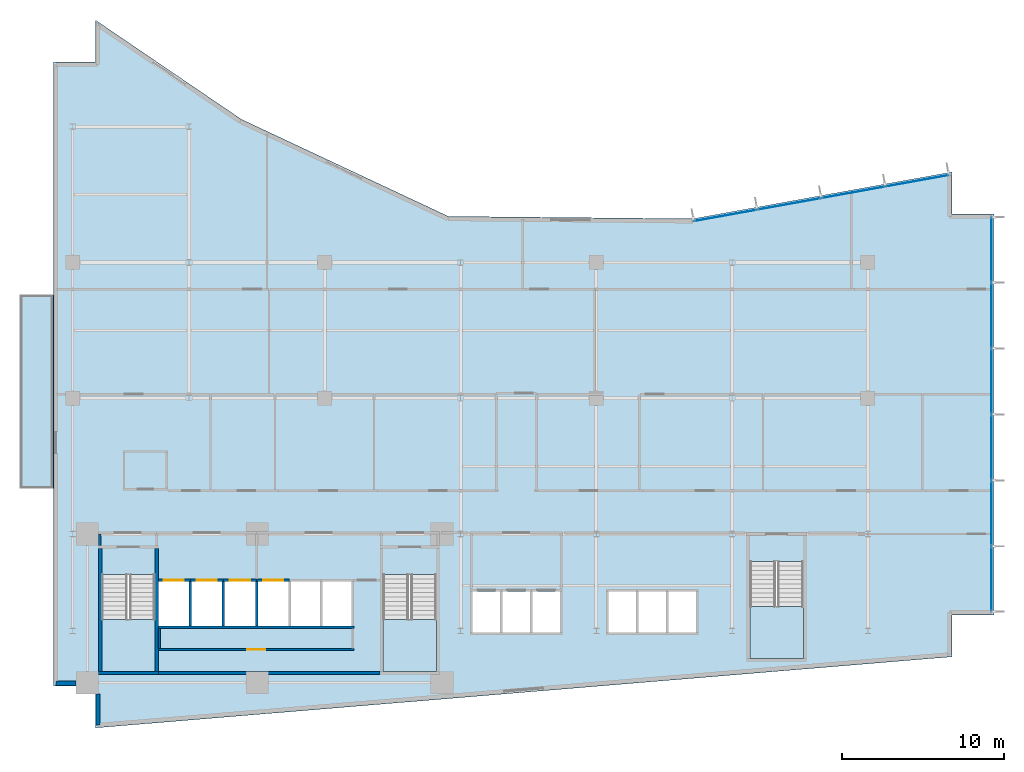
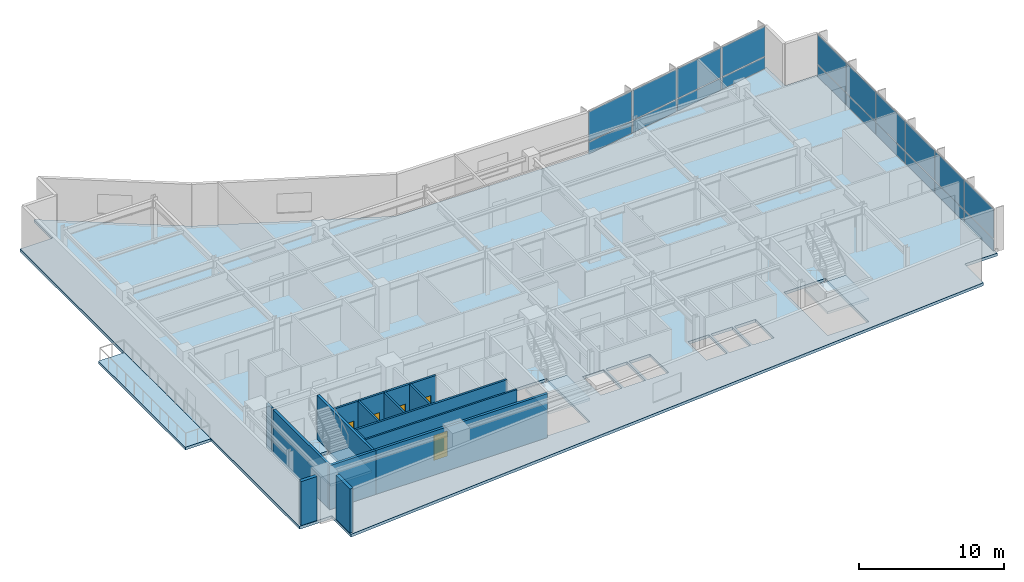
# One storey, part 12 of 20: 20 plates, 17 walls, 5 doors, 5 slabs, 5 openings, 5 elements without a shape of their own.
"""IFC4 building model written with IfcOpenShell, lengths in metres."""

from ifc_helpers import new_model, si_unit, direction, frame, frame_2d, origin, origin_2d, place, context, subcontext, project, spatial, polyline, rectangle, outline, extrude, material, layer, layer_set, type_object, element, fill, aggregate, save


model = new_model("IFC4")

# Units and contexts
model_context = context("Model", 3, precision=1e-05, world=origin(), true_north=direction((0.0, 1.0)))
body_context = subcontext(model_context, "Body", "Model", "MODEL_VIEW")
ifc_project = project(units=[si_unit("LENGTHUNIT", "METRE"), si_unit("AREAUNIT", "SQUARE_METRE"), si_unit("VOLUMEUNIT", "CUBIC_METRE"), si_unit("PLANEANGLEUNIT", "RADIAN"), si_unit("MASSUNIT", "GRAM", prefix="KILO")], contexts=[model_context])

# Site, building, storey
site_placement = place(None, origin())
site = spatial("IfcSite", under=ifc_project, at=site_placement, CompositionType="ELEMENT")
building_placement = place(site_placement, origin())
building = spatial("IfcBuilding", under=site, at=building_placement, Name="Varnakote Quay Hospital", CompositionType="ELEMENT")
storey_placement = place(building_placement, frame((0.0, 0.0, 46.199951171875)))
storey = spatial("IfcBuildingStorey", under=building, at=storey_placement, Name="L11", CompositionType="ELEMENT", Elevation=46.199951171875)

# Curtain wall, plates
ifc_material_1 = material(Name="Anodised aluminium 6063-T6 Bronze", Category="aluminium")
ifc_layer_1 = layer(ifc_material_1, 0.18994140625)
ifc_layer_set_1 = layer_set([ifc_layer_1], Name="Anodised aluminium 6063-T6 Bronze")
curtain_wall_type = type_object("IfcCurtainWallType", Name="CW-SYS-2", PredefinedType="NOTDEFINED", material=ifc_layer_set_1)
curtain_wall_1_placement = place(storey_placement, origin())
curtain_wall_1 = element("IfcCurtainWall", 1, at=curtain_wall_1_placement, inside=storey, type_object=curtain_wall_type, Name="L11 Unitised Bronze Curtain Wall 1", PredefinedType="NOTDEFINED")
ifc_material_2 = material(Name="Double-glazed acoustic laminated glass", Category="glass")
ifc_layer_2 = layer(ifc_material_2, 0.031982421875)
ifc_layer_set_2 = layer_set([ifc_layer_2], Name="Double-glazed acoustic laminated glass")
plate_type = type_object("IfcPlateType", Name="CW-PNL-GLZ-32", PredefinedType="CURTAIN_PANEL", material=ifc_layer_set_2)
plate_1_placement = place(storey_placement, frame((58.0400390625, 9.21875, 0.0751953125), z_axis=(0.0, 0.0, 1.0), x_axis=(0.0, 1.0, 0.0)))
plate_1 = element("IfcPlate", 2, at=plate_1_placement, type_object=plate_type, Name="-2-L11-1 panel 1.1", PredefinedType="CURTAIN_PANEL", context=body_context, shape_type="SweptSolid", body=[
    extrude(rectangle(XDim=3.967529296875, YDim=0.031982421875, at=origin_2d()), origin(), (0.0, 0.0, 1.0), 0.987548828125),
])
plate_2_placement = place(storey_placement, frame((58.0400390625, 9.21875, 1.137451171875), z_axis=(0.0, 0.0, 1.0), x_axis=(0.0, 1.0, 0.0)))
plate_2 = element("IfcPlate", 3, at=plate_2_placement, type_object=plate_type, Name="-2-L11-1 panel 1.2", PredefinedType="CURTAIN_PANEL", context=body_context, shape_type="SweptSolid", body=[
    extrude(rectangle(XDim=3.967529296875, YDim=0.031982421875, at=origin_2d()), origin(), (0.0, 0.0, 1.0), 2.49755859375),
])
plate_3_placement = place(storey_placement, frame((58.0400390625, 13.280029296875, 0.0751953125), z_axis=(0.0, 0.0, 1.0), x_axis=(0.0, 1.0, 0.0)))
plate_3 = element("IfcPlate", 4, at=plate_3_placement, type_object=plate_type, Name="-2-L11-1 panel 2.1", PredefinedType="CURTAIN_PANEL", context=body_context, shape_type="SweptSolid", body=[
    extrude(rectangle(XDim=4.0048828125, YDim=0.031982421875, at=origin_2d()), origin(), (0.0, 0.0, 1.0), 0.987548828125),
])
plate_4_placement = place(storey_placement, frame((58.0400390625, 13.280029296875, 1.137451171875), z_axis=(0.0, 0.0, 1.0), x_axis=(0.0, 1.0, 0.0)))
plate_4 = element("IfcPlate", 5, at=plate_4_placement, type_object=plate_type, Name="-2-L11-1 panel 2.2", PredefinedType="CURTAIN_PANEL", context=body_context, shape_type="SweptSolid", body=[
    extrude(rectangle(XDim=4.0048828125, YDim=0.031982421875, at=origin_2d()), origin(), (0.0, 0.0, 1.0), 2.49755859375),
])
plate_5_placement = place(storey_placement, frame((58.0400390625, 17.360107421875, 0.0751953125), z_axis=(0.0, 0.0, 1.0), x_axis=(0.0, 1.0, 0.0)))
plate_5 = element("IfcPlate", 6, at=plate_5_placement, type_object=plate_type, Name="-2-L11-1 panel 3.1", PredefinedType="CURTAIN_PANEL", context=body_context, shape_type="SweptSolid", body=[
    extrude(rectangle(XDim=4.0048828125, YDim=0.031982421875, at=origin_2d()), origin(), (0.0, 0.0, 1.0), 0.987548828125),
])
plate_6_placement = place(storey_placement, frame((58.0400390625, 17.360107421875, 1.137451171875), z_axis=(0.0, 0.0, 1.0), x_axis=(0.0, 1.0, 0.0)))
plate_6 = element("IfcPlate", 7, at=plate_6_placement, type_object=plate_type, Name="-2-L11-1 panel 3.2", PredefinedType="CURTAIN_PANEL", context=body_context, shape_type="SweptSolid", body=[
    extrude(rectangle(XDim=4.0048828125, YDim=0.031982421875, at=origin_2d()), origin(), (0.0, 0.0, 1.0), 2.49755859375),
])
plate_7_placement = place(storey_placement, frame((58.0400390625, 21.43994140625, 0.0751953125), z_axis=(0.0, 0.0, 1.0), x_axis=(0.0, 1.0, 0.0)))
plate_7 = element("IfcPlate", 8, at=plate_7_placement, type_object=plate_type, Name="-2-L11-1 panel 4.1", PredefinedType="CURTAIN_PANEL", context=body_context, shape_type="SweptSolid", body=[
    extrude(rectangle(XDim=4.0048828125, YDim=0.031982421875, at=origin_2d()), origin(), (0.0, 0.0, 1.0), 0.987548828125),
])
plate_8_placement = place(storey_placement, frame((58.0400390625, 21.43994140625, 1.137451171875), z_axis=(0.0, 0.0, 1.0), x_axis=(0.0, 1.0, 0.0)))
plate_8 = element("IfcPlate", 9, at=plate_8_placement, type_object=plate_type, Name="-2-L11-1 panel 4.2", PredefinedType="CURTAIN_PANEL", context=body_context, shape_type="SweptSolid", body=[
    extrude(rectangle(XDim=4.0048828125, YDim=0.031982421875, at=origin_2d()), origin(), (0.0, 0.0, 1.0), 2.49755859375),
])
plate_9_placement = place(storey_placement, frame((58.0400390625, 25.52001953125, 0.0751953125), z_axis=(0.0, 0.0, 1.0), x_axis=(0.0, 1.0, 0.0)))
plate_9 = element("IfcPlate", 10, at=plate_9_placement, type_object=plate_type, Name="-2-L11-1 panel 5.1", PredefinedType="CURTAIN_PANEL", context=body_context, shape_type="SweptSolid", body=[
    extrude(rectangle(XDim=4.0048828125, YDim=0.031982421875, at=origin_2d()), origin(), (0.0, 0.0, 1.0), 0.987548828125),
])
plate_10_placement = place(storey_placement, frame((58.0400390625, 25.52001953125, 1.137451171875), z_axis=(0.0, 0.0, 1.0), x_axis=(0.0, 1.0, 0.0)))
plate_10 = element("IfcPlate", 11, at=plate_10_placement, type_object=plate_type, Name="-2-L11-1 panel 5.2", PredefinedType="CURTAIN_PANEL", context=body_context, shape_type="SweptSolid", body=[
    extrude(rectangle(XDim=4.0048828125, YDim=0.031982421875, at=origin_2d()), origin(), (0.0, 0.0, 1.0), 2.49755859375),
])
plate_11_placement = place(storey_placement, frame((58.0400390625, 29.581298828125, 0.0751953125), z_axis=(0.0, 0.0, 1.0), x_axis=(0.0, 1.0, 0.0)))
plate_11 = element("IfcPlate", 12, at=plate_11_placement, type_object=plate_type, Name="-2-L11-1 panel 6.1", PredefinedType="CURTAIN_PANEL", context=body_context, shape_type="SweptSolid", body=[
    extrude(rectangle(XDim=3.967529296875, YDim=0.031982421875, at=origin_2d()), origin(), (0.0, 0.0, 1.0), 0.987548828125),
])
plate_12_placement = place(storey_placement, frame((58.0400390625, 29.581298828125, 1.137451171875), z_axis=(0.0, 0.0, 1.0), x_axis=(0.0, 1.0, 0.0)))
plate_12 = element("IfcPlate", 13, at=plate_12_placement, type_object=plate_type, Name="-2-L11-1 panel 6.2", PredefinedType="CURTAIN_PANEL", context=body_context, shape_type="SweptSolid", body=[
    extrude(rectangle(XDim=3.967529296875, YDim=0.031982421875, at=origin_2d()), origin(), (0.0, 0.0, 1.0), 2.49755859375),
])
aggregate(curtain_wall_1, [plate_1, plate_2, plate_3, plate_4, plate_5, plate_6, plate_7, plate_8, plate_9, plate_10, plate_11, plate_12])

curtain_wall_2_placement = place(storey_placement, origin())
curtain_wall_2 = element("IfcCurtainWall", 14, at=curtain_wall_2_placement, inside=storey, type_object=curtain_wall_type, Name="L11 Unitised Bronze Curtain Wall 2", PredefinedType="NOTDEFINED")
plate_13_placement = place(storey_placement, frame((53.440185546875, 33.84716796875, 0.0751953125), z_axis=(0.0, 0.0, 1.0), x_axis=(-0.984058295766, -0.177846199098, 0.0)))
plate_13 = element("IfcPlate", 15, at=plate_13_placement, type_object=plate_type, Name="-2-L11-2 panel 1.1", PredefinedType="CURTAIN_PANEL", context=body_context, shape_type="SweptSolid", body=[
    extrude(rectangle(XDim=3.914306640625, YDim=0.031982421875, at=origin_2d()), origin(), (0.0, 0.0, 1.0), 0.987548828125),
])
plate_14_placement = place(storey_placement, frame((53.440185546875, 33.84716796875, 1.137451171875), z_axis=(0.0, 0.0, 1.0), x_axis=(-0.984058295766, -0.177846199098, 0.0)))
plate_14 = element("IfcPlate", 16, at=plate_14_placement, type_object=plate_type, Name="-2-L11-2 panel 1.2", PredefinedType="CURTAIN_PANEL", context=body_context, shape_type="SweptSolid", body=[
    extrude(rectangle(XDim=3.914306640625, YDim=0.031982421875, at=origin_2d()), origin(), (0.0, 0.0, 1.0), 2.49755859375),
])
plate_15_placement = place(storey_placement, frame((49.49609375, 33.13427734375, 0.0751953125), z_axis=(0.0, 0.0, 1.0), x_axis=(-0.984058295766, -0.177846199098, 0.0)))
plate_15 = element("IfcPlate", 17, at=plate_15_placement, type_object=plate_type, Name="-2-L11-2 panel 2.1", PredefinedType="CURTAIN_PANEL", context=body_context, shape_type="SweptSolid", body=[
    extrude(rectangle(XDim=3.951904296875, YDim=0.031982421875, at=origin_2d()), origin(), (0.0, 0.0, 1.0), 0.987548828125),
])
plate_16_placement = place(storey_placement, frame((49.49609375, 33.13427734375, 1.137451171875), z_axis=(0.0, 0.0, 1.0), x_axis=(-0.984058295766, -0.177846199098, 0.0)))
plate_16 = element("IfcPlate", 18, at=plate_16_placement, type_object=plate_type, Name="-2-L11-2 panel 2.2", PredefinedType="CURTAIN_PANEL", context=body_context, shape_type="SweptSolid", body=[
    extrude(rectangle(XDim=3.951904296875, YDim=0.031982421875, at=origin_2d()), origin(), (0.0, 0.0, 1.0), 2.49755859375),
])
plate_17_placement = place(storey_placement, frame((45.533447265625, 32.418212890625, 0.0751953125), z_axis=(0.0, 0.0, 1.0), x_axis=(-0.984058295766, -0.177846199098, 0.0)))
plate_17 = element("IfcPlate", 19, at=plate_17_placement, type_object=plate_type, Name="-2-L11-2 panel 3.1", PredefinedType="CURTAIN_PANEL", context=body_context, shape_type="SweptSolid", body=[
    extrude(rectangle(XDim=3.951904296875, YDim=0.031982421875, at=origin_2d()), origin(), (0.0, 0.0, 1.0), 0.987548828125),
])
plate_18_placement = place(storey_placement, frame((45.533447265625, 32.418212890625, 1.137451171875), z_axis=(0.0, 0.0, 1.0), x_axis=(-0.984058295766, -0.177846199098, 0.0)))
plate_18 = element("IfcPlate", 20, at=plate_18_placement, type_object=plate_type, Name="-2-L11-2 panel 3.2", PredefinedType="CURTAIN_PANEL", context=body_context, shape_type="SweptSolid", body=[
    extrude(rectangle(XDim=3.951904296875, YDim=0.031982421875, at=origin_2d()), origin(), (0.0, 0.0, 1.0), 2.49755859375),
])
plate_19_placement = place(storey_placement, frame((41.58935546875, 31.705322265625, 0.0751953125), z_axis=(0.0, 0.0, 1.0), x_axis=(-0.984058295766, -0.177846199098, 0.0)))
plate_19 = element("IfcPlate", 21, at=plate_19_placement, type_object=plate_type, Name="-2-L11-2 panel 4.1", PredefinedType="CURTAIN_PANEL", context=body_context, shape_type="SweptSolid", body=[
    extrude(rectangle(XDim=3.914306640625, YDim=0.031982421875, at=origin_2d()), origin(), (0.0, 0.0, 1.0), 0.987548828125),
])
plate_20_placement = place(storey_placement, frame((41.58935546875, 31.705322265625, 1.137451171875), z_axis=(0.0, 0.0, 1.0), x_axis=(-0.984058295766, -0.177846199098, 0.0)))
plate_20 = element("IfcPlate", 22, at=plate_20_placement, type_object=plate_type, Name="-2-L11-2 panel 4.2", PredefinedType="CURTAIN_PANEL", context=body_context, shape_type="SweptSolid", body=[
    extrude(rectangle(XDim=3.914306640625, YDim=0.031982421875, at=origin_2d()), origin(), (0.0, 0.0, 1.0), 2.49755859375),
])
aggregate(curtain_wall_2, [plate_13, plate_14, plate_15, plate_16, plate_17, plate_18, plate_19, plate_20])

# Stair, slab
ifc_material_3 = material(Name="Concrete N40 (f'c 40 MPa)", Category="concrete")
stair_type = type_object("IfcStairType", Name="STR-CORE-1580", PredefinedType="HALF_TURN_STAIR", material=ifc_material_3)
stair_1_placement = place(storey_placement, origin())
stair_1 = element("IfcStair", 23, at=stair_1_placement, inside=storey, type_object=stair_type, Name="L11 Fire-Isolated Exit Stair ST-01", PredefinedType="HALF_TURN_STAIR")
ifc_material_4 = material(Name="Concrete N40 (f'c 40 MPa)", Category="concrete")
ifc_layer_3 = layer(ifc_material_4, 0.199951171875)
ifc_layer_set_3 = layer_set([ifc_layer_3], Name="Concrete N40 (f'c 40 MPa)")
slab_type_1 = type_object("IfcSlabType", Name="SLB-STAIR-LND-200", PredefinedType="LANDING", material=ifc_layer_set_3)
slab_1_placement = place(storey_placement, frame((0.0, 0.0, 1.775146484375)))
slab_1 = element("IfcSlab", 24, at=slab_1_placement, type_object=slab_type_1, Name="ST-01 landing 1", PredefinedType="LANDING", context=body_context, shape_type="SweptSolid", body=[
    extrude(outline(polyline([(3.0, 6.699951171875), (3.0, 3.5), (6.300048828125, 3.5), (6.300048828125, 6.699951171875), (3.0, 6.699951171875)])), origin(), (0.0, 0.0, 1.0), 0.199951171875),
])
aggregate(stair_1, [slab_1])

stair_2_placement = place(storey_placement, origin())
stair_2 = element("IfcStair", 25, at=stair_2_placement, inside=storey, type_object=stair_type, Name="L11 Fire-Isolated Exit Stair ST-02", PredefinedType="HALF_TURN_STAIR")
slab_2_placement = place(storey_placement, frame((0.0, 0.0, 1.775146484375)))
slab_2 = element("IfcSlab", 26, at=slab_2_placement, type_object=slab_type_1, Name="ST-02 landing 1", PredefinedType="LANDING", context=body_context, shape_type="SweptSolid", body=[
    extrude(outline(polyline([(20.39990234375, 6.699951171875), (20.39990234375, 3.5), (23.699951171875, 3.5), (23.699951171875, 6.699951171875), (20.39990234375, 6.699951171875)])), origin(), (0.0, 0.0, 1.0), 0.199951171875),
])
aggregate(stair_2, [slab_2])

stair_3_placement = place(storey_placement, origin())
stair_3 = element("IfcStair", 27, at=stair_3_placement, inside=storey, type_object=stair_type, Name="L11 Fire-Isolated Exit Stair ST-03", PredefinedType="HALF_TURN_STAIR")
slab_3_placement = place(storey_placement, frame((0.0, 0.0, 1.775146484375)))
slab_3 = element("IfcSlab", 28, at=slab_3_placement, type_object=slab_type_1, Name="ST-03 landing 1", PredefinedType="LANDING", context=body_context, shape_type="SweptSolid", body=[
    extrude(outline(polyline([(43.10009765625, 7.5), (43.10009765625, 4.300048828125), (46.39990234375, 4.300048828125), (46.39990234375, 7.5), (43.10009765625, 7.5)])), origin(), (0.0, 0.0, 1.0), 0.199951171875),
])
aggregate(stair_3, [slab_3])

# Slabs
ifc_material_5 = material(Name="Concrete N50 (f'c 50 MPa)", Category="concrete")
ifc_layer_4 = layer(ifc_material_5, 0.239990234375)
ifc_layer_set_4 = layer_set([ifc_layer_4], Name="Concrete N50 (f'c 50 MPa)")
slab_type_2 = type_object("IfcSlabType", Name="SLB-TERR-200", PredefinedType="FLOOR", material=ifc_layer_set_4)
slab_4_placement = place(storey_placement, frame((0.0, 0.0, -0.239990234375)))
element("IfcSlab", 29, at=slab_4_placement, inside=storey, type_object=slab_type_2, Name="L11 Waterfront Healing Terrace Slab", PredefinedType="FLOOR", context=body_context, shape_type="SweptSolid", body=[
    extrude(outline(polyline([(0.00390625, 14.800048828125), (0.00390625, 26.800048828125), (-2.06005859375, 26.800048828125), (-2.06005859375, 14.800048828125), (0.00390625, 14.800048828125)])), origin(), (0.0, 0.0, 1.0), 0.239990234375),
])
ifc_material_6 = material(Name="Concrete N50 (f'c 50 MPa)", Category="concrete")
ifc_layer_5 = layer(ifc_material_6, 0.239990234375)
ifc_layer_set_5 = layer_set([ifc_layer_5], Name="Concrete N50 (f'c 50 MPa)")
slab_type_3 = type_object("IfcSlabType", Name="SLB-WARD-200", PredefinedType="FLOOR", material=ifc_layer_set_5)
slab_5_placement = place(storey_placement, frame((0.0, 0.0, -0.239990234375)))
element("IfcSlab", 30, at=slab_5_placement, inside=storey, type_object=slab_type_3, Name="L11 Primary Floor Slab", PredefinedType="FLOOR", context=body_context, shape_type="SweptSolid", body=[
    extrude(outline(polyline([(0.0, 2.60009765625), (2.60009765625, 2.60009765625), (2.60009765625, 0.0), (55.60009765625, 4.39990234375), (55.60009765625, 7.0), (58.199951171875, 7.0), (58.199951171875, 31.800048828125), (55.60009765625, 31.800048828125), (55.60009765625, 34.39990234375), (39.575927734375, 31.50390625), (24.444091796875, 31.652099609375), (11.639892578125, 37.656005859375), (2.60009765625, 43.800048828125), (2.60009765625, 41.199951171875), (0.0, 41.199951171875), (0.0, 2.60009765625)]), holes=[polyline([(3.0, 3.5), (6.300048828125, 3.5), (6.300048828125, 9.49951171875), (3.0, 9.49951171875), (3.0, 3.5)]), polyline([(20.39990234375, 3.5), (23.699951171875, 3.5), (23.699951171875, 9.49951171875), (20.39990234375, 9.49951171875), (20.39990234375, 3.5)]), polyline([(43.10009765625, 4.300048828125), (46.39990234375, 4.300048828125), (46.39990234375, 10.29931640625), (43.10009765625, 10.29931640625), (43.10009765625, 4.300048828125)]), polyline([(6.5, 6.300048828125), (8.39990234375, 6.300048828125), (8.39990234375, 9.050048828125), (6.5, 9.050048828125), (6.5, 6.300048828125)]), polyline([(8.550048828125, 6.300048828125), (10.449951171875, 6.300048828125), (10.449951171875, 9.050048828125), (8.550048828125, 9.050048828125), (8.550048828125, 6.300048828125)]), polyline([(10.60009765625, 6.300048828125), (12.5, 6.300048828125), (12.5, 9.050048828125), (10.60009765625, 9.050048828125), (10.60009765625, 6.300048828125)]), polyline([(12.64990234375, 6.300048828125), (14.550048828125, 6.300048828125), (14.550048828125, 9.050048828125), (12.64990234375, 9.050048828125), (12.64990234375, 6.300048828125)]), polyline([(14.699951171875, 6.300048828125), (16.5, 6.300048828125), (16.5, 9.050048828125), (14.699951171875, 9.050048828125), (14.699951171875, 6.300048828125)]), polyline([(16.64990234375, 6.300048828125), (18.449951171875, 6.300048828125), (18.449951171875, 9.050048828125), (16.64990234375, 9.050048828125), (16.64990234375, 6.300048828125)]), polyline([(25.949951171875, 5.89990234375), (27.64990234375, 5.89990234375), (27.64990234375, 8.449951171875), (25.949951171875, 8.449951171875), (25.949951171875, 5.89990234375)]), polyline([(27.800048828125, 5.89990234375), (29.5, 5.89990234375), (29.5, 8.449951171875), (27.800048828125, 8.449951171875), (27.800048828125, 5.89990234375)]), polyline([(29.64990234375, 5.89990234375), (31.35009765625, 5.89990234375), (31.35009765625, 8.449951171875), (29.64990234375, 8.449951171875), (29.64990234375, 5.89990234375)]), polyline([(34.35009765625, 5.89990234375), (36.050048828125, 5.89990234375), (36.050048828125, 8.449951171875), (34.35009765625, 8.449951171875), (34.35009765625, 5.89990234375)]), polyline([(36.199951171875, 5.89990234375), (37.89990234375, 5.89990234375), (37.89990234375, 8.449951171875), (36.199951171875, 8.449951171875), (36.199951171875, 5.89990234375)]), polyline([(38.050048828125, 5.89990234375), (39.75, 5.89990234375), (39.75, 8.449951171875), (38.050048828125, 8.449951171875), (38.050048828125, 5.89990234375)])]), origin(), (0.0, 0.0, 1.0), 0.239990234375),
])

# Walls
ifc_material_7 = material(Name="Fire-rated acoustic gypsum stud wall", Category="gypsum")
ifc_layer_6 = layer(ifc_material_7, 0.159912109375)
ifc_layer_set_6 = layer_set([ifc_layer_6], Name="Fire-rated acoustic gypsum stud wall")
wall_type_1 = type_object("IfcWallType", Name="WL-COMP-160", PredefinedType="PARTITIONING", material=ifc_layer_set_6)
wall_1_placement = place(storey_placement, frame((2.8798828125, 11.300048828125, 0.0), z_axis=(0.0, 0.0, 1.0), x_axis=(0.0, 1.0, 0.0)))
element("IfcWall", 31, at=wall_1_placement, inside=storey, type_object=wall_type_1, Name="L11 West Stair Vestibule West Wall", PredefinedType="PARTITIONING", context=body_context, shape_type="SweptSolid", body=[
    extrude(rectangle(XDim=0.699951171875, YDim=0.159912109375, at=frame_2d((0.35009765625, 0.0))), origin(), (0.0, 0.0, 1.0), 3.7099609375),
])
ifc_material_8 = material(Name="Concrete N80 (f'c 80 MPa)", Category="concrete")
ifc_layer_7 = layer(ifc_material_8, 0.199951171875)
ifc_layer_set_7 = layer_set([ifc_layer_7], Name="Concrete N80 (f'c 80 MPa)")
wall_type_2 = type_object("IfcWallType", Name="WL-CORE-N80-200", PredefinedType="SHEAR", material=ifc_layer_set_7)
wall_2_placement = place(storey_placement, frame((6.5, 3.39990234375, 0.0), z_axis=(0.0, 0.0, 1.0), x_axis=(1.0, 0.0, 0.0)))
element("IfcWall", 32, at=wall_2_placement, inside=storey, type_object=wall_type_2, Name="L11 Rear Core South Shear Wall", PredefinedType="SHEAR", context=body_context, shape_type="SweptSolid", body=[
    extrude(rectangle(XDim=13.699951171875, YDim=0.199951171875, at=frame_2d((6.85009765625, 0.0))), origin(), (0.0, 0.0, 1.0), 3.7099609375),
])
ifc_material_9 = material(Name="Precast concrete N50 (f'c 50 MPa)", Category="concrete")
ifc_layer_8 = layer(ifc_material_9, 0.260009765625)
ifc_layer_set_8 = layer_set([ifc_layer_8], Name="Precast concrete N50 (f'c 50 MPa)")
wall_type_3 = type_object("IfcWallType", Name="WL-EXT-BRICK-260", PredefinedType="STANDARD", material=ifc_layer_set_8)
wall_3_placement = place(storey_placement, frame((2.760009765625, 2.114990234375, 0.0), z_axis=(0.0, 0.0, 1.0), x_axis=(0.0, -1.0, 0.0)))
element("IfcWall", 33, at=wall_3_placement, inside=storey, type_object=wall_type_3, Name="L11 Brick-Faced Precast Exterior Wall", PredefinedType="STANDARD", context=body_context, shape_type="SweptSolid", body=[
    extrude(rectangle(XDim=1.941162109375, YDim=0.260009765625, at=frame_2d((0.970703125, 0.0))), origin(), (0.0, 0.0, 1.0), 3.7099609375),
])
wall_4_placement = place(storey_placement, frame((0.159912109375, 2.760009765625, 0.0), z_axis=(0.0, 0.0, 1.0), x_axis=(1.0, 0.0, 0.0)))
element("IfcWall", 34, at=wall_4_placement, inside=storey, type_object=wall_type_3, Name="L11 Brick-Faced Precast Exterior Wall", PredefinedType="STANDARD", context=body_context, shape_type="SweptSolid", body=[
    extrude(rectangle(XDim=1.255126953125, YDim=0.260009765625, at=frame_2d((0.62744140625, 0.0))), origin(), (0.0, 0.0, 1.0), 3.7099609375),
])
ifc_material_10 = material(Name="Concrete N50 (f'c 50 MPa)", Category="concrete")
ifc_layer_9 = layer(ifc_material_10, 0.14990234375)
ifc_layer_set_9 = layer_set([ifc_layer_9], Name="Concrete N50 (f'c 50 MPa)")
wall_type_4 = type_object("IfcWallType", Name="WL-SHAFT-N50-150", PredefinedType="SHEAR", material=ifc_layer_set_9)
for number, where, z_axis, x_axis, name in (
    (35, (8.47509765625, 6.300048828125, 0.0), (0.0, 0.0, 1.0), (0.0, 1.0, 0.0), "L11 LF-FF1 Hoistway Divider Wall"),
    (36, (10.52490234375, 6.300048828125, 0.0), (0.0, 0.0, 1.0), (0.0, 1.0, 0.0), "L11 LF-FF2 Hoistway Divider Wall"),
    (37, (12.574951171875, 6.300048828125, 0.0), (0.0, 0.0, 1.0), (0.0, 1.0, 0.0), "L11 LF-SV1 Hoistway Divider Wall"),
):
    element("IfcWall", number, at=place(storey_placement, frame(where, z_axis=z_axis, x_axis=x_axis)), inside=storey, type_object=wall_type_4, Name=name, PredefinedType="SHEAR", context=body_context, shape_type="SweptSolid", body=[
        extrude(rectangle(XDim=2.75, YDim=0.14990234375, at=frame_2d((1.375, 0.0))), origin(), (0.0, 0.0, 1.0), 3.7099609375),
    ])
ifc_material_11 = material(Name="Concrete N50 (f'c 50 MPa)", Category="concrete")
ifc_layer_10 = layer(ifc_material_11, 0.159912109375)
ifc_layer_set_10 = layer_set([ifc_layer_10], Name="Concrete N50 (f'c 50 MPa)")
wall_type_5 = type_object("IfcWallType", Name="WL-SHAFT-N50-160", PredefinedType="SHEAR", material=ifc_layer_set_10)
wall_5_placement = place(storey_placement, frame((6.5, 6.219970703125, 0.0), z_axis=(0.0, 0.0, 1.0), x_axis=(1.0, 0.0, 0.0)))
element("IfcWall", 38, at=wall_5_placement, inside=storey, type_object=wall_type_5, Name="L11 REAR Lift Bank Back Shear Wall", PredefinedType="SHEAR", context=body_context, shape_type="SweptSolid", body=[
    extrude(rectangle(XDim=12.110107421875, YDim=0.159912109375, at=frame_2d((6.05517578125, 0.0))), origin(), (0.0, 0.0, 1.0), 3.7099609375),
])

# Wall, opening, door
wall_6_placement = place(storey_placement, frame((6.5, 9.1298828125, 0.0), z_axis=(0.0, 0.0, 1.0), x_axis=(1.0, 0.0, 0.0)))
wall_6 = element("IfcWall", 39, at=wall_6_placement, inside=storey, type_object=wall_type_5, Name="L11 LF-FF1 Hoistway Front Wall", PredefinedType="SHEAR", context=body_context, shape_type="SweptSolid", body=[
    extrude(rectangle(XDim=1.97509765625, YDim=0.159912109375, at=frame_2d((0.987548828125, 0.0))), origin(), (0.0, 0.0, 1.0), 3.7099609375),
])
opening_1_placement = place(wall_6_placement, frame((0.324951171875, 0.0, 0.0)))
opening_1 = element("IfcOpeningElement", 40, at=opening_1_placement, cuts=wall_6, Name="Opening LD-FF1-L11", PredefinedType="OPENING", context=body_context, shape_type="SweptSolid", body=[
    extrude(rectangle(XDim=1.25, YDim=2.14990234375, at=frame_2d((0.625, 1.074951171875))), frame((0.0, 0.08984375, 0.0), z_axis=(0.0, -1.0, 0.0), x_axis=(1.0, 0.0, 0.0)), (0.0, 0.0, 1.0), 0.179931640625),
])
ifc_material_12 = material(Name="Stainless steel lift landing sliding door", Category="steel")
door_type_1 = type_object("IfcDoorType", Name="DR-LIFT-LD-1250x2150", OperationType="NOTDEFINED", PredefinedType="DOOR", material=ifc_material_12)
door_1_placement = place(opening_1_placement, origin())
door_1 = element("IfcDoor", 41, at=door_1_placement, inside=storey, type_object=door_type_1, Name="L11 LF-FF1 Lift Landing Sliding Door", OperationType="SLIDING_TO_LEFT", OverallHeight=2.14990234375, OverallWidth=1.25, PredefinedType="DOOR", context=body_context, shape_type="SweptSolid", body=[
    extrude(rectangle(XDim=1.25, YDim=2.14990234375, at=frame_2d((0.625, 1.074951171875))), frame((0.0, 0.02490234375, 0.0), z_axis=(0.0, -1.0, 0.0), x_axis=(1.0, 0.0, 0.0)), (0.0, 0.0, 1.0), 0.050048828125),
])
fill(opening_1, door_1)

wall_7_placement = place(storey_placement, frame((8.47509765625, 9.1298828125, 0.0), z_axis=(0.0, 0.0, 1.0), x_axis=(1.0, 0.0, 0.0)))
wall_7 = element("IfcWall", 42, at=wall_7_placement, inside=storey, type_object=wall_type_5, Name="L11 LF-FF2 Hoistway Front Wall", PredefinedType="SHEAR", context=body_context, shape_type="SweptSolid", body=[
    extrude(rectangle(XDim=2.0498046875, YDim=0.159912109375, at=frame_2d((1.02490234375, 0.0))), origin(), (0.0, 0.0, 1.0), 3.7099609375),
])
opening_2_placement = place(wall_7_placement, frame((0.39990234375, 0.0, 0.0)))
opening_2 = element("IfcOpeningElement", 43, at=opening_2_placement, cuts=wall_7, Name="Opening LD-FF2-L11", PredefinedType="OPENING", context=body_context, shape_type="SweptSolid", body=[
    extrude(rectangle(XDim=1.25, YDim=2.14990234375, at=frame_2d((0.625, 1.074951171875))), frame((0.0, 0.08984375, 0.0), z_axis=(0.0, -1.0, 0.0), x_axis=(1.0, 0.0, 0.0)), (0.0, 0.0, 1.0), 0.179931640625),
])
door_2_placement = place(opening_2_placement, origin())
door_2 = element("IfcDoor", 44, at=door_2_placement, inside=storey, type_object=door_type_1, Name="L11 LF-FF2 Lift Landing Sliding Door", OperationType="SLIDING_TO_LEFT", OverallHeight=2.14990234375, OverallWidth=1.25, PredefinedType="DOOR", context=body_context, shape_type="SweptSolid", body=[
    extrude(rectangle(XDim=1.25, YDim=2.14990234375, at=frame_2d((0.625, 1.074951171875))), frame((0.0, 0.02490234375, 0.0), z_axis=(0.0, -1.0, 0.0), x_axis=(1.0, 0.0, 0.0)), (0.0, 0.0, 1.0), 0.050048828125),
])
fill(opening_2, door_2)

wall_8_placement = place(storey_placement, frame((10.52490234375, 9.1298828125, 0.0), z_axis=(0.0, 0.0, 1.0), x_axis=(1.0, 0.0, 0.0)))
wall_8 = element("IfcWall", 45, at=wall_8_placement, inside=storey, type_object=wall_type_5, Name="L11 LF-SV1 Hoistway Front Wall", PredefinedType="SHEAR", context=body_context, shape_type="SweptSolid", body=[
    extrude(rectangle(XDim=2.050048828125, YDim=0.159912109375, at=frame_2d((1.02490234375, 0.0))), origin(), (0.0, 0.0, 1.0), 3.7099609375),
])
opening_3_placement = place(wall_8_placement, frame((0.39990234375, 0.0, 0.0)))
opening_3 = element("IfcOpeningElement", 46, at=opening_3_placement, cuts=wall_8, Name="Opening LD-SV1-L11", PredefinedType="OPENING", context=body_context, shape_type="SweptSolid", body=[
    extrude(rectangle(XDim=1.25, YDim=2.14990234375, at=frame_2d((0.625, 1.074951171875))), frame((0.0, 0.08984375, 0.0), z_axis=(0.0, -1.0, 0.0), x_axis=(1.0, 0.0, 0.0)), (0.0, 0.0, 1.0), 0.179931640625),
])
door_3_placement = place(opening_3_placement, origin())
door_3 = element("IfcDoor", 47, at=door_3_placement, inside=storey, type_object=door_type_1, Name="L11 LF-SV1 Lift Landing Sliding Door", OperationType="SLIDING_TO_LEFT", OverallHeight=2.14990234375, OverallWidth=1.25, PredefinedType="DOOR", context=body_context, shape_type="SweptSolid", body=[
    extrude(rectangle(XDim=1.25, YDim=2.14990234375, at=frame_2d((0.625, 1.074951171875))), frame((0.0, 0.02490234375, 0.0), z_axis=(0.0, -1.0, 0.0), x_axis=(1.0, 0.0, 0.0)), (0.0, 0.0, 1.0), 0.050048828125),
])
fill(opening_3, door_3)

wall_9_placement = place(storey_placement, frame((12.574951171875, 9.1298828125, 0.0), z_axis=(0.0, 0.0, 1.0), x_axis=(1.0, 0.0, 0.0)))
wall_9 = element("IfcWall", 48, at=wall_9_placement, inside=storey, type_object=wall_type_5, Name="L11 LF-SV2 Hoistway Front Wall", PredefinedType="SHEAR", context=body_context, shape_type="SweptSolid", body=[
    extrude(rectangle(XDim=2.050048828125, YDim=0.159912109375, at=frame_2d((1.02490234375, 0.0))), origin(), (0.0, 0.0, 1.0), 3.7099609375),
])
opening_4_placement = place(wall_9_placement, frame((0.39990234375, 0.0, 0.0)))
opening_4 = element("IfcOpeningElement", 49, at=opening_4_placement, cuts=wall_9, Name="Opening LD-SV2-L11", PredefinedType="OPENING", context=body_context, shape_type="SweptSolid", body=[
    extrude(rectangle(XDim=1.25, YDim=2.14990234375, at=frame_2d((0.625, 1.074951171875))), frame((0.0, 0.08984375, 0.0), z_axis=(0.0, -1.0, 0.0), x_axis=(1.0, 0.0, 0.0)), (0.0, 0.0, 1.0), 0.179931640625),
])
door_4_placement = place(opening_4_placement, origin())
door_4 = element("IfcDoor", 50, at=door_4_placement, inside=storey, type_object=door_type_1, Name="L11 LF-SV2 Lift Landing Sliding Door", OperationType="SLIDING_TO_LEFT", OverallHeight=2.14990234375, OverallWidth=1.25, PredefinedType="DOOR", context=body_context, shape_type="SweptSolid", body=[
    extrude(rectangle(XDim=1.25, YDim=2.14990234375, at=frame_2d((0.625, 1.074951171875))), frame((0.0, 0.02490234375, 0.0), z_axis=(0.0, -1.0, 0.0), x_axis=(1.0, 0.0, 0.0)), (0.0, 0.0, 1.0), 0.050048828125),
])
fill(opening_4, door_4)

# Walls
ifc_material_13 = material(Name="Concrete N50 (f'c 50 MPa)", Category="concrete")
ifc_layer_11 = layer(ifc_material_13, 0.199951171875)
ifc_layer_set_11 = layer_set([ifc_layer_11], Name="Concrete N50 (f'c 50 MPa)")
wall_type_6 = type_object("IfcWallType", Name="WL-SHAFT-N50-200", PredefinedType="SHEAR", material=ifc_layer_set_11)
wall_10_placement = place(storey_placement, frame((2.800048828125, 3.39990234375, 0.0), z_axis=(0.0, 0.0, 1.0), x_axis=(1.0, 0.0, 0.0)))
element("IfcWall", 51, at=wall_10_placement, inside=storey, type_object=wall_type_6, Name="L11 Stair ST1 South Shaft Wall", PredefinedType="SHEAR", context=body_context, shape_type="SweptSolid", body=[
    extrude(rectangle(XDim=3.699951171875, YDim=0.199951171875, at=frame_2d((1.85009765625, 0.0))), origin(), (0.0, 0.0, 1.0), 3.7099609375),
])
for number, where, z_axis, x_axis, name in (
    (52, (2.89990234375, 3.5, 0.0), (0.0, 0.0, 1.0), (0.0, 1.0, 0.0), "L11 Stair ST1 West Shaft Wall"),
    (53, (6.39990234375, 3.5, 0.0), (0.0, 0.0, 1.0), (0.0, 1.0, 0.0), "L11 Stair ST1 East Shaft Wall"),
):
    element("IfcWall", number, at=place(storey_placement, frame(where, z_axis=z_axis, x_axis=x_axis)), inside=storey, type_object=wall_type_6, Name=name, PredefinedType="SHEAR", context=body_context, shape_type="SweptSolid", body=[
        extrude(rectangle(XDim=7.60009765625, YDim=0.199951171875, at=frame_2d((3.800048828125, 0.0))), origin(), (0.0, 0.0, 1.0), 3.7099609375),
    ])
ifc_material_14 = material(Name="Smoke-proof clinical partition", Category="gypsum")
ifc_layer_12 = layer(ifc_material_14, 0.1201171875)
ifc_layer_set_12 = layer_set([ifc_layer_12], Name="Smoke-proof clinical partition")
wall_type_7 = type_object("IfcWallType", Name="WL-SMOKE-120", PredefinedType="PARTITIONING", material=ifc_layer_set_12)
wall_11_placement = place(storey_placement, frame((6.56005859375, 4.919921875, 0.0), z_axis=(0.0, 0.0, 1.0), x_axis=(0.0, 1.0, 0.0)))
element("IfcWall", 54, at=wall_11_placement, inside=storey, type_object=wall_type_7, Name="L11 Core Service Strip West Wall", PredefinedType="PARTITIONING", context=body_context, shape_type="SweptSolid", body=[
    extrude(rectangle(XDim=1.219970703125, YDim=0.1201171875, at=frame_2d((0.60986328125, 0.0))), origin(), (0.0, 0.0, 1.0), 3.7099609375),
])

# Wall, opening, door
ifc_material_15 = material(Name="Fire-rated clinical gypsum partition", Category="gypsum")
ifc_layer_13 = layer(ifc_material_15, 0.139892578125)
ifc_layer_set_13 = layer_set([ifc_layer_13], Name="Fire-rated clinical gypsum partition")
wall_type_8 = type_object("IfcWallType", Name="WL-WARD-140", PredefinedType="PARTITIONING", material=ifc_layer_set_13)
wall_12_placement = place(storey_placement, frame((6.5, 4.85009765625, 0.0), z_axis=(0.0, 0.0, 1.0), x_axis=(1.0, 0.0, 0.0)))
wall_12 = element("IfcWall", 55, at=wall_12_placement, inside=storey, type_object=wall_type_8, Name="L11 Core Clean Linen Store South Wall", PredefinedType="PARTITIONING", context=body_context, shape_type="SweptSolid", body=[
    extrude(rectangle(XDim=12.10009765625, YDim=0.139892578125, at=frame_2d((6.050048828125, 0.0))), origin(), (0.0, 0.0, 1.0), 3.7099609375),
])
opening_5_placement = place(wall_12_placement, frame((5.5, 0.0, 0.0)))
opening_5 = element("IfcOpeningElement", 56, at=opening_5_placement, cuts=wall_12, Name="Opening D-L11-CR01", PredefinedType="OPENING", context=body_context, shape_type="SweptSolid", body=[
    extrude(rectangle(XDim=1.10009765625, YDim=2.10009765625, at=frame_2d((0.550048828125, 1.050048828125))), frame((0.0, 0.079833984375, 0.0), z_axis=(0.0, -1.0, 0.0), x_axis=(1.0, 0.0, 0.0)), (0.0, 0.0, 1.0), 0.159912109375),
])
ifc_material_16 = material(Name="Acoustic timber clinical consult door", Category="wood")
door_type_2 = type_object("IfcDoorType", Name="DR-CLIN-FD30S-1100x2100", OperationType="NOTDEFINED", PredefinedType="DOOR", material=ifc_material_16)
door_5_placement = place(opening_5_placement, origin())
door_5 = element("IfcDoor", 57, at=door_5_placement, inside=storey, type_object=door_type_2, Name="L11 Core Clean Linen Store Door", OperationType="SINGLE_SWING_LEFT", OverallHeight=2.10009765625, OverallWidth=1.10009765625, PredefinedType="DOOR", context=body_context, shape_type="SweptSolid", body=[
    extrude(rectangle(XDim=1.10009765625, YDim=2.10009765625, at=frame_2d((0.550048828125, 1.050048828125))), frame((0.0, 0.02490234375, 0.0), z_axis=(0.0, -1.0, 0.0), x_axis=(1.0, 0.0, 0.0)), (0.0, 0.0, 1.0), 0.050048828125),
])
fill(opening_5, door_5)

save(model, "model.ifc")
